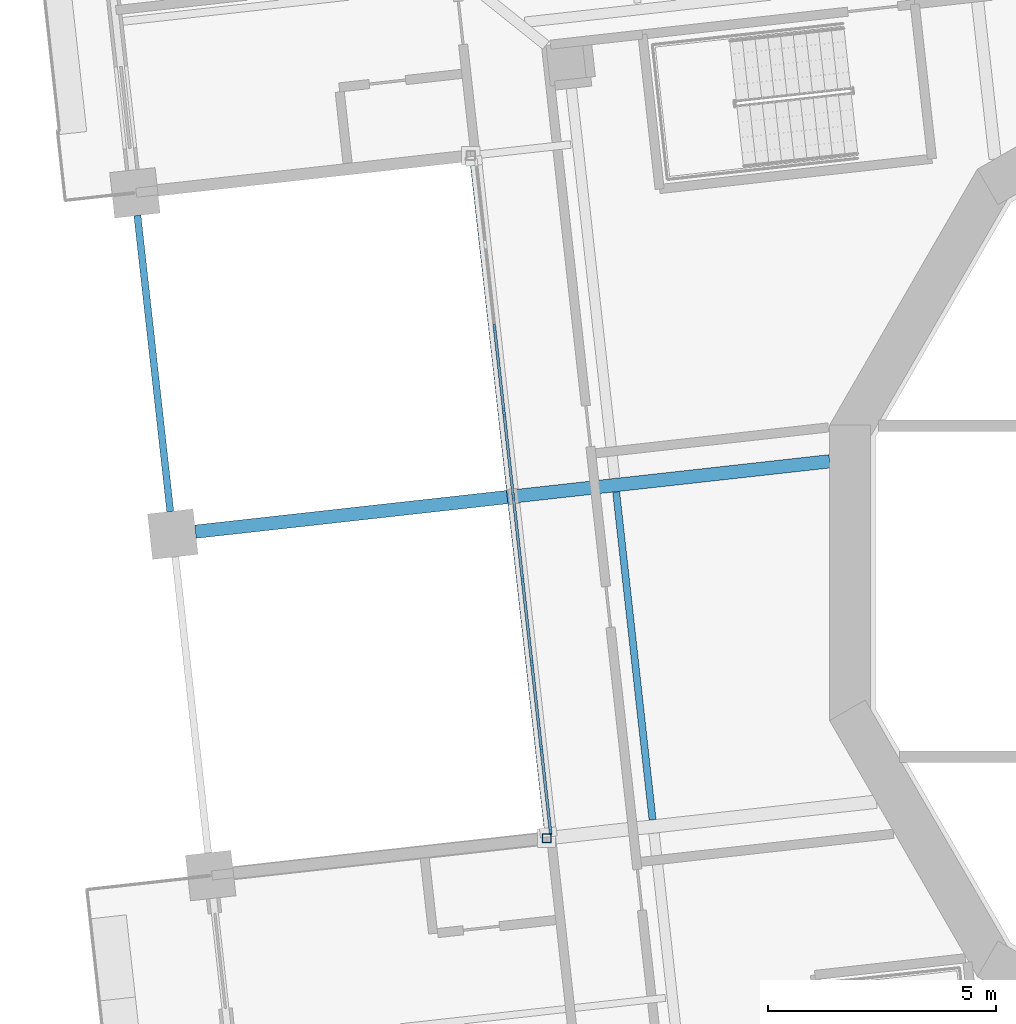
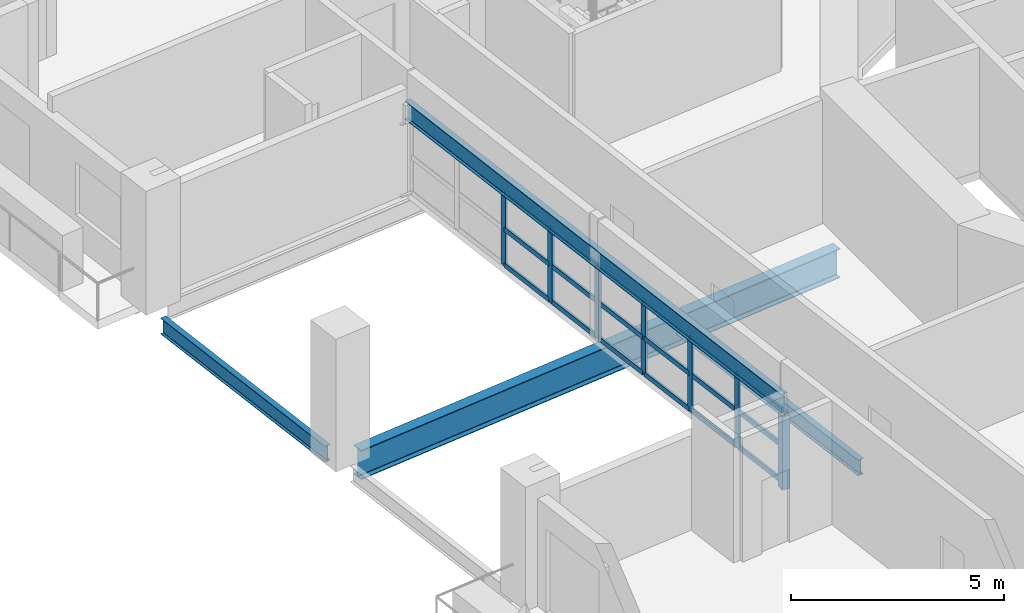
# One storey, part 2 of 21: 26 members, 4 beams, 1 element without a shape of its own.
"""IFC4 building model written with IfcOpenShell, lengths in metres."""

import ifcopenshell
import ifcopenshell.guid

model = None  # the IFC model being written
_history = None  # IfcOwnerHistory: only IFC2X3 demands one
_inside = {}  # id of a spatial element -> (the spatial element, [elements in it])
_under = {}  # id of a project, library or spatial element -> (it, [spatial elements below it])
_declared = {}  # id of a project -> (the project, [libraries it declares])
_typed = {}  # id of a type object -> (the type object, [elements of that type])
_made_of = {}  # id of a material, layer set ... -> (it, [elements and type objects made of it])


def new_model(schema):
    """Start an empty IFC model of exactly this schema.

    Asked for "IFC4X3", IfcOpenShell would pick the latest addendum, in which some entities
    have other attributes; the version numbers below select the first issue.
    IFC2X3 requires an IfcOwnerHistory on every rooted entity: one is made here for all.
    """
    global model, _history
    if schema == "IFC4X3":
        model = ifcopenshell.file(schema_version=(4, 3, 0, 0))
    else:
        model = ifcopenshell.file(schema=schema)
    _inside.clear()
    _under.clear()
    _declared.clear()
    _typed.clear()
    _made_of.clear()
    _history = None
    if model.schema == "IFC2X3":
        org = make("IfcOrganization", Name="unknown")
        user = make(
            "IfcPersonAndOrganization",
            ThePerson=make("IfcPerson", FamilyName="unknown"),
            TheOrganization=org,
        )
        app = make(
            "IfcApplication",
            ApplicationDeveloper=org,
            Version="unknown",
            ApplicationFullName="unknown",
            ApplicationIdentifier="unknown",
        )
        _history = make(
            "IfcOwnerHistory",
            OwningUser=user,
            OwningApplication=app,
            ChangeAction="ADDED",
            CreationDate=0,
        )
    return model


def make(cls, **values):
    """One entity of the class cls with the attributes given. An attribute that is None is left unset."""
    return model.create_entity(
        cls, **{name: value for name, value in values.items() if value is not None}
    )


def rooted(cls, **values):
    """An entity with a GlobalId (a new one), such as an element, a storey or a relation."""
    return make(cls, GlobalId=ifcopenshell.guid.new(), OwnerHistory=_history, **values)


def si_unit(unit_type, name, prefix=None):
    """IfcSIUnit, for example si_unit("LENGTHUNIT", "METRE", prefix="MILLI")."""
    return make("IfcSIUnit", UnitType=unit_type, Prefix=prefix, Name=name)


def assignment(units):
    """IfcUnitAssignment: the units of a project."""
    return None if units is None else make("IfcUnitAssignment", Units=units)


def point(xyz):
    """IfcCartesianPoint."""
    return None if xyz is None else make("IfcCartesianPoint", Coordinates=xyz)


def direction(xyz):
    """IfcDirection."""
    return None if xyz is None else make("IfcDirection", DirectionRatios=xyz)


def frame(location, z_axis=None, x_axis=None):
    """IfcAxis2Placement3D, a coordinate frame: its origin and axes. An axis left out is left unset."""
    return make(
        "IfcAxis2Placement3D",
        Location=point(location),
        Axis=direction(z_axis),
        RefDirection=direction(x_axis),
    )


def frame_2d(location, x_axis=None):
    """IfcAxis2Placement2D, a coordinate frame in the plane: its origin and x axis."""
    return make(
        "IfcAxis2Placement2D", Location=point(location), RefDirection=direction(x_axis)
    )


def origin():
    """The frame at (0, 0, 0) with its axes left unset."""
    return frame((0.0, 0.0, 0.0))


def origin_2d():
    """The frame at (0, 0) in the plane with its x axis left unset."""
    return frame_2d((0.0, 0.0))


def place(relative_to, where):
    """IfcLocalPlacement: puts the frame where relative to a parent placement (None: the world)."""
    return make(
        "IfcLocalPlacement", PlacementRelTo=relative_to, RelativePlacement=where
    )


def context(
    kind, dimensions, precision=None, world=None, true_north=None, identifier=None
):
    """IfcGeometricRepresentationContext, for example the 3D "Model" context."""
    return make(
        "IfcGeometricRepresentationContext",
        ContextIdentifier=identifier,
        ContextType=kind,
        CoordinateSpaceDimension=dimensions,
        Precision=precision,
        WorldCoordinateSystem=world,
        TrueNorth=true_north,
    )


def subcontext(parent, identifier, kind, view, scale=None):
    """IfcGeometricRepresentationSubContext, for example "Body" below "Model"."""
    return make(
        "IfcGeometricRepresentationSubContext",
        ContextIdentifier=identifier,
        ContextType=kind,
        ParentContext=parent,
        TargetScale=scale,
        TargetView=view,
    )


def project(units=None, contexts=None):
    """IfcProject with its units and contexts."""
    return rooted(
        "IfcProject",
        Name="project",
        RepresentationContexts=contexts,
        UnitsInContext=assignment(units),
    )


def spatial(cls, under=None, at=None, **own):
    """A site, building, storey or space (cls), placed at a placement, below another one or the project."""
    s = rooted(cls, ObjectPlacement=at, **own)
    if under is not None:
        _under.setdefault(under.id(), (under, []))[1].append(s)
    return s


def profile(cls, at=None, kind="AREA", **sizes):
    """A parametric profile (cls). Its sizes go by their IFC names, for example OverallWidth=200.0."""
    return make(cls, ProfileType=kind, Position=at, **sizes)


def rectangle(**sizes):
    """IfcRectangleProfileDef."""
    return profile("IfcRectangleProfileDef", **sizes)


def hollow_rectangle(**sizes):
    """IfcRectangleHollowProfileDef."""
    return profile("IfcRectangleHollowProfileDef", **sizes)


def i_section(**sizes):
    """IfcIShapeProfileDef."""
    return profile("IfcIShapeProfileDef", **sizes)


def extrude(swept, where, along, depth):
    """IfcExtrudedAreaSolid: the profile swept, set in the frame where, extruded along a direction by depth."""
    return make(
        "IfcExtrudedAreaSolid",
        SweptArea=swept,
        Position=where,
        ExtrudedDirection=direction(along),
        Depth=depth,
    )


def shape(context_of_items, identifier, shape_type, items):
    """IfcShapeRepresentation: the items that make up one representation, for example the "Body"."""
    return make(
        "IfcShapeRepresentation",
        ContextOfItems=context_of_items,
        RepresentationIdentifier=identifier,
        RepresentationType=shape_type,
        Items=items,
    )


def material(Name=None, Category=None):
    """IfcMaterial."""
    return make("IfcMaterial", Name=Name, Category=Category)


def material_profile(
    of_material, cross_section, Name=None, Category=None, Priority=None
):
    """IfcMaterialProfile: a cross section and its material."""
    return make(
        "IfcMaterialProfile",
        Name=Name,
        Material=of_material,
        Profile=cross_section,
        Priority=Priority,
        Category=Category,
    )


def profile_set(profiles, Name=None, composite=None):
    """IfcMaterialProfileSet."""
    return make(
        "IfcMaterialProfileSet",
        Name=Name,
        MaterialProfiles=profiles,
        CompositeProfile=composite,
    )


def made_of(thing, what):
    """Note that an element or type object is made of a material, layer set ...; save() writes the relation."""
    if what is not None:
        _made_of.setdefault(what.id(), (what, []))[1].append(thing)
    return thing


def type_object(cls, material=None, **own):
    """A type object (cls), such as IfcWallType, which elements share."""
    return made_of(rooted(cls, **own), material)


def element(
    cls,
    number,
    at=None,
    inside=None,
    cuts=None,
    type_object=None,
    material=None,
    context=None,
    identifier="Body",
    shape_type=None,
    held_by="IfcProductDefinitionShape",
    body=None,
    shapes=None,
    **own,
):
    """One element of the class cls, such as IfcWall. Its Tag is "e" and its number.

    at: its placement. inside: the storey or other place that contains it. cuts: it is an
    opening in that element (IfcRelVoidsElement). A single representation is given by context,
    identifier, shape_type and body (its items); several are given by shapes. held_by: the class
    of the entity that holds the representations. save() writes the other relations.
    """
    e = rooted(cls, Tag="e%d" % number, ObjectPlacement=at, **own)
    if body is not None:
        shapes = [shape(context, identifier, shape_type, body)]
    if shapes is not None:
        e.Representation = make(held_by, Representations=shapes)
    if inside is not None:
        _inside.setdefault(inside.id(), (inside, []))[1].append(e)
    if cuts is not None:
        rooted(
            "IfcRelVoidsElement", RelatingBuildingElement=cuts, RelatedOpeningElement=e
        )
    if type_object is not None:
        _typed.setdefault(type_object.id(), (type_object, []))[1].append(e)
    return made_of(e, material)


def aggregate(whole, parts):
    """IfcRelAggregates: a whole, such as a stair, and the parts it consists of."""
    return rooted("IfcRelAggregates", RelatingObject=whole, RelatedObjects=parts)


def save(model, path):
    """Write the relations noted so far, then the file.

    IfcRelAggregates (storeys below a building ...), IfcRelContainedInSpatialStructure (elements
    in a storey), IfcRelDefinesByType, IfcRelAssociatesMaterial and IfcRelDeclares: one each for
    every whole, place, type object, material and project.
    """
    for whole, parts in _under.values():
        aggregate(whole, parts)
    for where, things in _inside.values():
        rooted(
            "IfcRelContainedInSpatialStructure",
            RelatedElements=things,
            RelatingStructure=where,
        )
    for kind, things in _typed.values():
        rooted("IfcRelDefinesByType", RelatedObjects=things, RelatingType=kind)
    for what, things in _made_of.values():
        rooted("IfcRelAssociatesMaterial", RelatedObjects=things, RelatingMaterial=what)
    for by, libraries in _declared.values():
        rooted("IfcRelDeclares", RelatingContext=by, RelatedDefinitions=libraries)
    model.write(path)


model = new_model("IFC4")

# Units and contexts
model_context = context("Model", 3, precision=1e-05, world=origin(), true_north=direction((0.0, 1.0)))
body_context = subcontext(model_context, "Body", "Model", "MODEL_VIEW")
ifc_project = project(units=[si_unit("LENGTHUNIT", "METRE"), si_unit("AREAUNIT", "SQUARE_METRE"), si_unit("VOLUMEUNIT", "CUBIC_METRE"), si_unit("PLANEANGLEUNIT", "RADIAN"), si_unit("MASSUNIT", "GRAM", prefix="KILO")], contexts=[model_context])

# Site, building, storey
site_placement = place(None, origin())
site = spatial("IfcSite", under=ifc_project, at=site_placement, CompositionType="ELEMENT")
building_placement = place(site_placement, origin())
building = spatial("IfcBuilding", under=site, at=building_placement, Name="Cantera Rosa Tower", CompositionType="ELEMENT")
storey_placement = place(building_placement, frame((0.0, 0.0, 69.10009765625)))
storey = spatial("IfcBuildingStorey", under=building, at=storey_placement, Name="L14", CompositionType="ELEMENT", Elevation=69.10009765625)

# Curtain wall, members
ifc_material_1 = material(Name="Aluminium frame with clear glass", Category="aluminium")
curtain_wall_type = type_object("IfcCurtainWallType", Name="CW1 TERRACE POCKET GLAZING", PredefinedType="NOTDEFINED", material=ifc_material_1)
curtain_wall_placement = place(storey_placement, origin())
curtain_wall = element("IfcCurtainWall", 1, at=curtain_wall_placement, inside=storey, type_object=curtain_wall_type, Name="CW1 CW1", PredefinedType="NOTDEFINED")
ifc_material_2 = material(Name="Anodised bronze aluminium", Category="aluminium")
ifc_material_profile_1 = material_profile(ifc_material_2, rectangle(XDim=0.06005859375, YDim=0.179931640625, at=origin_2d()), Name="CW-MULLION 60x180 POCKET")
ifc_profile_set_1 = profile_set([ifc_material_profile_1], Name="Anodised bronze aluminium")
member_type_1 = type_object("IfcMemberType", Name="CW-MULLION 60x180 POCKET", PredefinedType="MULLION", material=ifc_profile_set_1)
member_1_placement = place(storey_placement, frame((-19.408447265625, 5.34912109375, 0.0), z_axis=(0.0, 0.0, 1.0), x_axis=(0.993896946417, 0.110312555508, 0.0)))
member_1 = element("IfcMember", 2, at=member_1_placement, type_object=member_type_1, Name="CW1 mullion 3", PredefinedType="MULLION", context=body_context, shape_type="SweptSolid", body=[
    extrude(rectangle(XDim=0.06005859375, YDim=0.179931640625, at=origin_2d()), origin(), (0.0, 0.0, 1.0), 2.10400390625),
])
member_2_placement = place(storey_placement, frame((-19.20458984375, 3.51171875, 0.0), z_axis=(0.0, 0.0, 1.0), x_axis=(0.993896946417, 0.110312555508, 0.0)))
member_2 = element("IfcMember", 3, at=member_2_placement, type_object=member_type_1, Name="CW1 mullion 4", PredefinedType="MULLION", context=body_context, shape_type="SweptSolid", body=[
    extrude(rectangle(XDim=0.06005859375, YDim=0.179931640625, at=origin_2d()), origin(), (0.0, 0.0, 1.0), 2.10400390625),
])
member_3_placement = place(storey_placement, frame((-19.000732421875, 1.67431640625, 0.0), z_axis=(0.0, 0.0, 1.0), x_axis=(0.993896946417, 0.110312555508, 0.0)))
member_3 = element("IfcMember", 4, at=member_3_placement, type_object=member_type_1, Name="CW1 mullion 5", PredefinedType="MULLION", context=body_context, shape_type="SweptSolid", body=[
    extrude(rectangle(XDim=0.06005859375, YDim=0.179931640625, at=origin_2d()), origin(), (0.0, 0.0, 1.0), 2.10400390625),
])
member_4_placement = place(storey_placement, frame((-18.796630859375, -0.163330078125, 0.0), z_axis=(0.0, 0.0, 1.0), x_axis=(0.993896946417, 0.110312555508, 0.0)))
member_4 = element("IfcMember", 5, at=member_4_placement, type_object=member_type_1, Name="CW1 mullion 6", PredefinedType="MULLION", context=body_context, shape_type="SweptSolid", body=[
    extrude(rectangle(XDim=0.06005859375, YDim=0.179931640625, at=origin_2d()), origin(), (0.0, 0.0, 1.0), 2.10400390625),
])
member_5_placement = place(storey_placement, frame((-18.5927734375, -2.000732421875, 0.0), z_axis=(0.0, 0.0, 1.0), x_axis=(0.993896946417, 0.110312555508, 0.0)))
member_5 = element("IfcMember", 6, at=member_5_placement, type_object=member_type_1, Name="CW1 mullion 7", PredefinedType="MULLION", context=body_context, shape_type="SweptSolid", body=[
    extrude(rectangle(XDim=0.06005859375, YDim=0.179931640625, at=origin_2d()), origin(), (0.0, 0.0, 1.0), 2.10400390625),
])
member_6_placement = place(storey_placement, frame((-18.388916015625, -3.838134765625, 0.0), z_axis=(0.0, 0.0, 1.0), x_axis=(0.993896946417, 0.110312555508, 0.0)))
member_6 = element("IfcMember", 7, at=member_6_placement, type_object=member_type_1, Name="CW1 mullion 8", PredefinedType="MULLION", context=body_context, shape_type="SweptSolid", body=[
    extrude(rectangle(XDim=0.06005859375, YDim=0.179931640625, at=origin_2d()), origin(), (0.0, 0.0, 1.0), 2.10400390625),
])
member_7_placement = place(storey_placement, frame((-18.188232421875, -5.645751953125, 0.0), z_axis=(0.0, 0.0, 1.0), x_axis=(0.993896946417, 0.110312555508, 0.0)))
member_7 = element("IfcMember", 8, at=member_7_placement, type_object=member_type_1, Name="CW1 mullion 9", PredefinedType="MULLION", context=body_context, shape_type="SweptSolid", body=[
    extrude(rectangle(XDim=0.06005859375, YDim=0.179931640625, at=origin_2d()), origin(), (0.0, 0.0, 1.0), 2.10400390625),
])
ifc_material_3 = material(Name="Anodised bronze aluminium", Category="aluminium")
ifc_material_profile_2 = material_profile(ifc_material_3, rectangle(XDim=0.06005859375, YDim=0.139892578125, at=origin_2d()), Name="CW-TRANSOM 60x140 POCKET")
ifc_profile_set_2 = profile_set([ifc_material_profile_2], Name="Anodised bronze aluminium")
member_type_2 = type_object("IfcMemberType", Name="CW-TRANSOM 60x140 POCKET", PredefinedType="USERDEFINED", material=ifc_profile_set_2)
member_8_placement = place(storey_placement, frame((-19.4052734375, 5.3193359375, 0.02978515625), z_axis=(0.110281721709, -0.993900368174, 0.0), x_axis=(0.993900368174, 0.110281721709, 0.0)))
member_8 = element("IfcMember", 9, at=member_8_placement, type_object=member_type_2, Name="CW1 transom 3.1", ObjectType="TRANSOM", PredefinedType="USERDEFINED", context=body_context, shape_type="SweptSolid", body=[
    extrude(rectangle(XDim=0.06005859375, YDim=0.139892578125, at=origin_2d()), origin(), (0.0, 0.0, 1.0), 1.788818359375),
])
member_9_placement = place(storey_placement, frame((-19.4052734375, 5.3193359375, 1.052001953125), z_axis=(0.110281721709, -0.993900368174, 0.0), x_axis=(0.993900368174, 0.110281721709, 0.0)))
member_9 = element("IfcMember", 10, at=member_9_placement, type_object=member_type_2, Name="CW1 transom 3.2", ObjectType="TRANSOM", PredefinedType="USERDEFINED", context=body_context, shape_type="SweptSolid", body=[
    extrude(rectangle(XDim=0.06005859375, YDim=0.139892578125, at=origin_2d()), origin(), (0.0, 0.0, 1.0), 1.788818359375),
])
member_10_placement = place(storey_placement, frame((-19.4052734375, 5.3193359375, 2.073974609375), z_axis=(0.110281721709, -0.993900368174, 0.0), x_axis=(0.993900368174, 0.110281721709, 0.0)))
member_10 = element("IfcMember", 11, at=member_10_placement, type_object=member_type_2, Name="CW1 transom 3.3", ObjectType="TRANSOM", PredefinedType="USERDEFINED", context=body_context, shape_type="SweptSolid", body=[
    extrude(rectangle(XDim=0.06005859375, YDim=0.139892578125, at=origin_2d()), origin(), (0.0, 0.0, 1.0), 1.788818359375),
])
member_11_placement = place(storey_placement, frame((-19.201171875, 3.48193359375, 0.02978515625), z_axis=(0.110281721709, -0.993900368174, 0.0), x_axis=(0.993900368174, 0.110281721709, 0.0)))
member_11 = element("IfcMember", 12, at=member_11_placement, type_object=member_type_2, Name="CW1 transom 4.1", ObjectType="TRANSOM", PredefinedType="USERDEFINED", context=body_context, shape_type="SweptSolid", body=[
    extrude(rectangle(XDim=0.06005859375, YDim=0.139892578125, at=origin_2d()), origin(), (0.0, 0.0, 1.0), 1.788818359375),
])
member_12_placement = place(storey_placement, frame((-19.201171875, 3.48193359375, 1.052001953125), z_axis=(0.110281721709, -0.993900368174, 0.0), x_axis=(0.993900368174, 0.110281721709, 0.0)))
member_12 = element("IfcMember", 13, at=member_12_placement, type_object=member_type_2, Name="CW1 transom 4.2", ObjectType="TRANSOM", PredefinedType="USERDEFINED", context=body_context, shape_type="SweptSolid", body=[
    extrude(rectangle(XDim=0.06005859375, YDim=0.139892578125, at=origin_2d()), origin(), (0.0, 0.0, 1.0), 1.788818359375),
])
member_13_placement = place(storey_placement, frame((-19.201171875, 3.48193359375, 2.073974609375), z_axis=(0.110281721709, -0.993900368174, 0.0), x_axis=(0.993900368174, 0.110281721709, 0.0)))
member_13 = element("IfcMember", 14, at=member_13_placement, type_object=member_type_2, Name="CW1 transom 4.3", ObjectType="TRANSOM", PredefinedType="USERDEFINED", context=body_context, shape_type="SweptSolid", body=[
    extrude(rectangle(XDim=0.06005859375, YDim=0.139892578125, at=origin_2d()), origin(), (0.0, 0.0, 1.0), 1.788818359375),
])
member_14_placement = place(storey_placement, frame((-18.997314453125, 1.644287109375, 0.02978515625), z_axis=(0.110281721709, -0.993900368174, 0.0), x_axis=(0.993900368174, 0.110281721709, 0.0)))
member_14 = element("IfcMember", 15, at=member_14_placement, type_object=member_type_2, Name="CW1 transom 5.1", ObjectType="TRANSOM", PredefinedType="USERDEFINED", context=body_context, shape_type="SweptSolid", body=[
    extrude(rectangle(XDim=0.06005859375, YDim=0.139892578125, at=origin_2d()), origin(), (0.0, 0.0, 1.0), 1.788818359375),
])
member_15_placement = place(storey_placement, frame((-18.997314453125, 1.644287109375, 1.052001953125), z_axis=(0.110281721709, -0.993900368174, 0.0), x_axis=(0.993900368174, 0.110281721709, 0.0)))
member_15 = element("IfcMember", 16, at=member_15_placement, type_object=member_type_2, Name="CW1 transom 5.2", ObjectType="TRANSOM", PredefinedType="USERDEFINED", context=body_context, shape_type="SweptSolid", body=[
    extrude(rectangle(XDim=0.06005859375, YDim=0.139892578125, at=origin_2d()), origin(), (0.0, 0.0, 1.0), 1.788818359375),
])
member_16_placement = place(storey_placement, frame((-18.997314453125, 1.644287109375, 2.073974609375), z_axis=(0.110281721709, -0.993900368174, 0.0), x_axis=(0.993900368174, 0.110281721709, 0.0)))
member_16 = element("IfcMember", 17, at=member_16_placement, type_object=member_type_2, Name="CW1 transom 5.3", ObjectType="TRANSOM", PredefinedType="USERDEFINED", context=body_context, shape_type="SweptSolid", body=[
    extrude(rectangle(XDim=0.06005859375, YDim=0.139892578125, at=origin_2d()), origin(), (0.0, 0.0, 1.0), 1.788818359375),
])
member_17_placement = place(storey_placement, frame((-18.79345703125, -0.193115234375, 0.02978515625), z_axis=(0.110281721709, -0.993900368174, 0.0), x_axis=(0.993900368174, 0.110281721709, 0.0)))
member_17 = element("IfcMember", 18, at=member_17_placement, type_object=member_type_2, Name="CW1 transom 6.1", ObjectType="TRANSOM", PredefinedType="USERDEFINED", context=body_context, shape_type="SweptSolid", body=[
    extrude(rectangle(XDim=0.06005859375, YDim=0.139892578125, at=origin_2d()), origin(), (0.0, 0.0, 1.0), 1.788818359375),
])
member_18_placement = place(storey_placement, frame((-18.79345703125, -0.193115234375, 1.052001953125), z_axis=(0.110281721709, -0.993900368174, 0.0), x_axis=(0.993900368174, 0.110281721709, 0.0)))
member_18 = element("IfcMember", 19, at=member_18_placement, type_object=member_type_2, Name="CW1 transom 6.2", ObjectType="TRANSOM", PredefinedType="USERDEFINED", context=body_context, shape_type="SweptSolid", body=[
    extrude(rectangle(XDim=0.06005859375, YDim=0.139892578125, at=origin_2d()), origin(), (0.0, 0.0, 1.0), 1.788818359375),
])
member_19_placement = place(storey_placement, frame((-18.79345703125, -0.193115234375, 2.073974609375), z_axis=(0.110281721709, -0.993900368174, 0.0), x_axis=(0.993900368174, 0.110281721709, 0.0)))
member_19 = element("IfcMember", 20, at=member_19_placement, type_object=member_type_2, Name="CW1 transom 6.3", ObjectType="TRANSOM", PredefinedType="USERDEFINED", context=body_context, shape_type="SweptSolid", body=[
    extrude(rectangle(XDim=0.06005859375, YDim=0.139892578125, at=origin_2d()), origin(), (0.0, 0.0, 1.0), 1.788818359375),
])
member_20_placement = place(storey_placement, frame((-18.58935546875, -2.030517578125, 0.02978515625), z_axis=(0.110281721709, -0.993900368174, 0.0), x_axis=(0.993900368174, 0.110281721709, 0.0)))
member_20 = element("IfcMember", 21, at=member_20_placement, type_object=member_type_2, Name="CW1 transom 7.1", ObjectType="TRANSOM", PredefinedType="USERDEFINED", context=body_context, shape_type="SweptSolid", body=[
    extrude(rectangle(XDim=0.06005859375, YDim=0.139892578125, at=origin_2d()), origin(), (0.0, 0.0, 1.0), 1.788818359375),
])
member_21_placement = place(storey_placement, frame((-18.58935546875, -2.030517578125, 1.052001953125), z_axis=(0.110281721709, -0.993900368174, 0.0), x_axis=(0.993900368174, 0.110281721709, 0.0)))
member_21 = element("IfcMember", 22, at=member_21_placement, type_object=member_type_2, Name="CW1 transom 7.2", ObjectType="TRANSOM", PredefinedType="USERDEFINED", context=body_context, shape_type="SweptSolid", body=[
    extrude(rectangle(XDim=0.06005859375, YDim=0.139892578125, at=origin_2d()), origin(), (0.0, 0.0, 1.0), 1.788818359375),
])
member_22_placement = place(storey_placement, frame((-18.58935546875, -2.030517578125, 2.073974609375), z_axis=(0.110281721709, -0.993900368174, 0.0), x_axis=(0.993900368174, 0.110281721709, 0.0)))
member_22 = element("IfcMember", 23, at=member_22_placement, type_object=member_type_2, Name="CW1 transom 7.3", ObjectType="TRANSOM", PredefinedType="USERDEFINED", context=body_context, shape_type="SweptSolid", body=[
    extrude(rectangle(XDim=0.06005859375, YDim=0.139892578125, at=origin_2d()), origin(), (0.0, 0.0, 1.0), 1.788818359375),
])
member_23_placement = place(storey_placement, frame((-18.385498046875, -3.867919921875, 0.02978515625), z_axis=(0.110355348566, -0.993892195886, 0.0), x_axis=(0.993892195886, 0.110355348566, 0.0)))
member_23 = element("IfcMember", 24, at=member_23_placement, type_object=member_type_2, Name="CW1 transom 8.1", ObjectType="TRANSOM", PredefinedType="USERDEFINED", context=body_context, shape_type="SweptSolid", body=[
    extrude(rectangle(XDim=0.06005859375, YDim=0.139892578125, at=origin_2d()), origin(), (0.0, 0.0, 1.0), 1.7587890625),
])
member_24_placement = place(storey_placement, frame((-18.385498046875, -3.867919921875, 1.052001953125), z_axis=(0.110355348566, -0.993892195886, 0.0), x_axis=(0.993892195886, 0.110355348566, 0.0)))
member_24 = element("IfcMember", 25, at=member_24_placement, type_object=member_type_2, Name="CW1 transom 8.2", ObjectType="TRANSOM", PredefinedType="USERDEFINED", context=body_context, shape_type="SweptSolid", body=[
    extrude(rectangle(XDim=0.06005859375, YDim=0.139892578125, at=origin_2d()), origin(), (0.0, 0.0, 1.0), 1.7587890625),
])
member_25_placement = place(storey_placement, frame((-18.385498046875, -3.867919921875, 2.073974609375), z_axis=(0.110355348566, -0.993892195886, 0.0), x_axis=(0.993892195886, 0.110355348566, 0.0)))
member_25 = element("IfcMember", 26, at=member_25_placement, type_object=member_type_2, Name="CW1 transom 8.3", ObjectType="TRANSOM", PredefinedType="USERDEFINED", context=body_context, shape_type="SweptSolid", body=[
    extrude(rectangle(XDim=0.06005859375, YDim=0.139892578125, at=origin_2d()), origin(), (0.0, 0.0, 1.0), 1.7587890625),
])
aggregate(curtain_wall, [member_1, member_2, member_3, member_4, member_5, member_6, member_7, member_8, member_9, member_10, member_11, member_12, member_13, member_14, member_15, member_16, member_17, member_18, member_19, member_20, member_21, member_22, member_23, member_24, member_25])

# Member
ifc_material_4 = material(Name="Steel ASTM A992 (Fy 345 MPa)", Category="steel")
ifc_material_profile_3 = material_profile(ifc_material_4, hollow_rectangle(XDim=0.199951171875, YDim=0.199951171875, WallThickness=0.010009765625, at=origin_2d()), Name="LINTEL POST RHS 200x200x10")
ifc_profile_set_3 = profile_set([ifc_material_profile_3], Name="Steel ASTM A992 (Fy 345 MPa)")
member_type_3 = type_object("IfcMemberType", Name="LINTEL POST RHS 200x200x10", PredefinedType="USERDEFINED", material=ifc_profile_set_3)
member_26_placement = place(storey_placement, frame((-18.2705078125, -5.810791015625, 0.0), z_axis=(0.0, 0.0, 1.0), x_axis=(1.0, 0.0, 0.0)))
element("IfcMember", 27, at=member_26_placement, inside=storey, type_object=member_type_3, Name="LINTEL POST L14-2", ObjectType="LINTEL POST", PredefinedType="USERDEFINED", context=body_context, shape_type="SweptSolid", body=[
    extrude(hollow_rectangle(XDim=0.199951171875, YDim=0.199951171875, WallThickness=0.010009765625, at=origin_2d()), origin(), (0.0, 0.0, 1.0), 2.10595703125),
])

# Beams
ifc_material_5 = material(Name="Steel ASTM A992 (Fy 345 MPa)", Category="steel")
ifc_material_profile_4 = material_profile(ifc_material_5, i_section(OverallWidth=0.154052734375, OverallDepth=0.4599609375, WebThickness=0.009033203125, FlangeThickness=0.015380859375, FilletRadius=0.01025390625, at=origin_2d()), Name="W460X68")
ifc_profile_set_4 = profile_set([ifc_material_profile_4], Name="Steel ASTM A992 (Fy 345 MPa)")
beam_type_1 = type_object("IfcBeamType", Name="STEEL BEAM W460X68", PredefinedType="BEAM", material=ifc_profile_set_4)
beam_1_placement = place(storey_placement, frame((-15.951416015625, -5.402587890625, -0.47998046875), z_axis=(-0.110301629462, 0.993898159037, 0.0), x_axis=(-0.993898159037, -0.110301629462, 0.0)))
element("IfcBeam", 28, at=beam_1_placement, inside=storey, type_object=beam_type_1, Name="RB-Z1-11 L14", PredefinedType="BEAM", context=body_context, shape_type="SweptSolid", body=[
    extrude(i_section(OverallWidth=0.154052734375, OverallDepth=0.4599609375, WebThickness=0.009033203125, FlangeThickness=0.015380859375, FilletRadius=0.01025390625, at=origin_2d()), origin(), (0.0, 0.0, 1.0), 7.219970703125),
])
ifc_material_6 = material(Name="Steel ASTM A992 (Fy 345 MPa)", Category="steel")
ifc_material_profile_5 = material_profile(ifc_material_6, i_section(OverallWidth=0.166015625, OverallDepth=0.528076171875, WebThickness=0.009765625, FlangeThickness=0.013671875, FilletRadius=0.0126953125, at=origin_2d()), Name="W530X74")
ifc_profile_set_5 = profile_set([ifc_material_profile_5], Name="Steel ASTM A992 (Fy 345 MPa)")
beam_type_2 = type_object("IfcBeamType", Name="STEEL BEAM W530X74", PredefinedType="BEAM", material=ifc_profile_set_5)
beam_2_placement = place(storey_placement, frame((-19.87451171875, 9.093017578125, 2.369873046875), z_axis=(0.110322116426, -0.993895885205, 0.0), x_axis=(0.993895885205, 0.110322116426, 0.0)))
element("IfcBeam", 29, at=beam_2_placement, inside=storey, type_object=beam_type_2, Name="LINTEL SL-L14", PredefinedType="BEAM", context=body_context, shape_type="SweptSolid", body=[
    extrude(i_section(OverallWidth=0.166015625, OverallDepth=0.528076171875, WebThickness=0.009765625, FlangeThickness=0.013671875, FilletRadius=0.0126953125, at=origin_2d()), origin(), (0.0, 0.0, 1.0), 14.93994140625),
])
ifc_material_7 = material(Name="Steel ASTM A992 (Fy 345 MPa)", Category="steel")
ifc_material_profile_6 = material_profile(ifc_material_7, i_section(OverallWidth=0.2919921875, OverallDepth=0.8359375, WebThickness=0.013916015625, FlangeThickness=0.018798828125, FilletRadius=0.017822265625, at=origin_2d()), Name="W840X176")
ifc_profile_set_6 = profile_set([ifc_material_profile_6], Name="Steel ASTM A992 (Fy 345 MPa)")
beam_type_3 = type_object("IfcBeamType", Name="STEEL BEAM W840X176", PredefinedType="BEAM", material=ifc_profile_set_6)
beam_3_placement = place(storey_placement, frame((-25.9580078125, 0.902099609375, -0.668212890625), z_axis=(0.993898644981, 0.110297250672, 0.0), x_axis=(-0.110297250672, 0.993898644981, 0.0)))
element("IfcBeam", 30, at=beam_3_placement, inside=storey, type_object=beam_type_3, Name="G-Z1-16 L14", PredefinedType="BEAM", context=body_context, shape_type="SweptSolid", body=[
    extrude(i_section(OverallWidth=0.2919921875, OverallDepth=0.8359375, WebThickness=0.013916015625, FlangeThickness=0.018798828125, FilletRadius=0.017822265625, at=origin_2d()), origin(), (0.0, 0.0, 1.0), 13.96923828125),
])
ifc_material_8 = material(Name="Steel ASTM A992 (Fy 345 MPa)", Category="steel")
ifc_material_profile_7 = material_profile(ifc_material_8, i_section(OverallWidth=0.154052734375, OverallDepth=0.4599609375, WebThickness=0.009033203125, FlangeThickness=0.015380859375, FilletRadius=0.01025390625, at=origin_2d()), Name="W460X68")
ifc_profile_set_7 = profile_set([ifc_material_profile_7], Name="Steel ASTM A992 (Fy 345 MPa)")
beam_type_4 = type_object("IfcBeamType", Name="STEEL SPANDREL BEAM W460X68", PredefinedType="SPANDREL", material=ifc_profile_set_7)
beam_4_placement = place(storey_placement, frame((-27.229248046875, 7.823974609375, -0.47998046875), z_axis=(0.110312341265, -0.993896970196, 0.0), x_axis=(0.993896970196, 0.110312341265, 0.0)))
element("IfcBeam", 31, at=beam_4_placement, inside=storey, type_object=beam_type_4, Name="EB-Z1-17 L14", PredefinedType="SPANDREL", context=body_context, shape_type="SweptSolid", body=[
    extrude(i_section(OverallWidth=0.154052734375, OverallDepth=0.4599609375, WebThickness=0.009033203125, FlangeThickness=0.015380859375, FilletRadius=0.01025390625, at=origin_2d()), origin(), (0.0, 0.0, 1.0), 6.52001953125),
])

save(model, "model.ifc")
